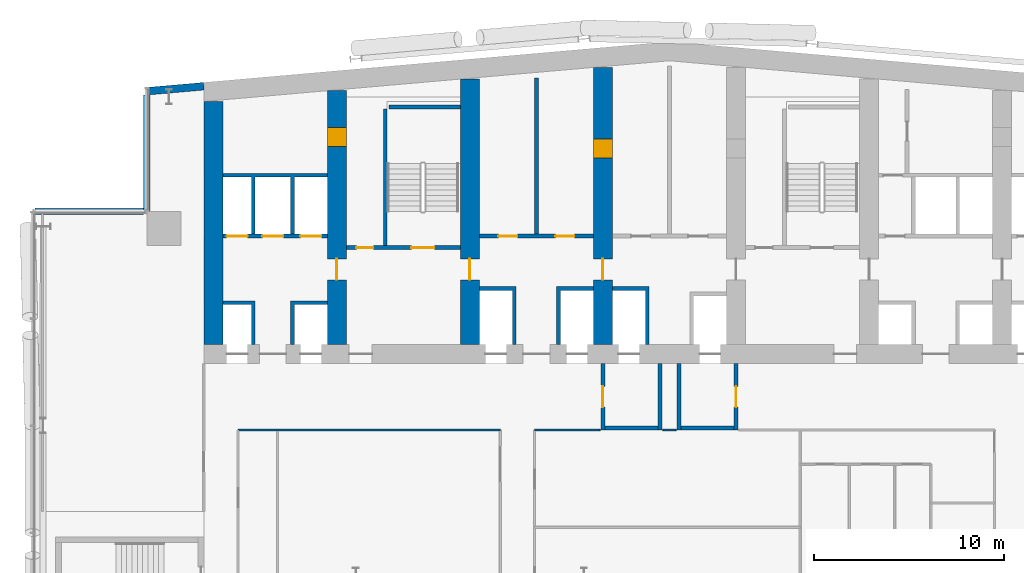
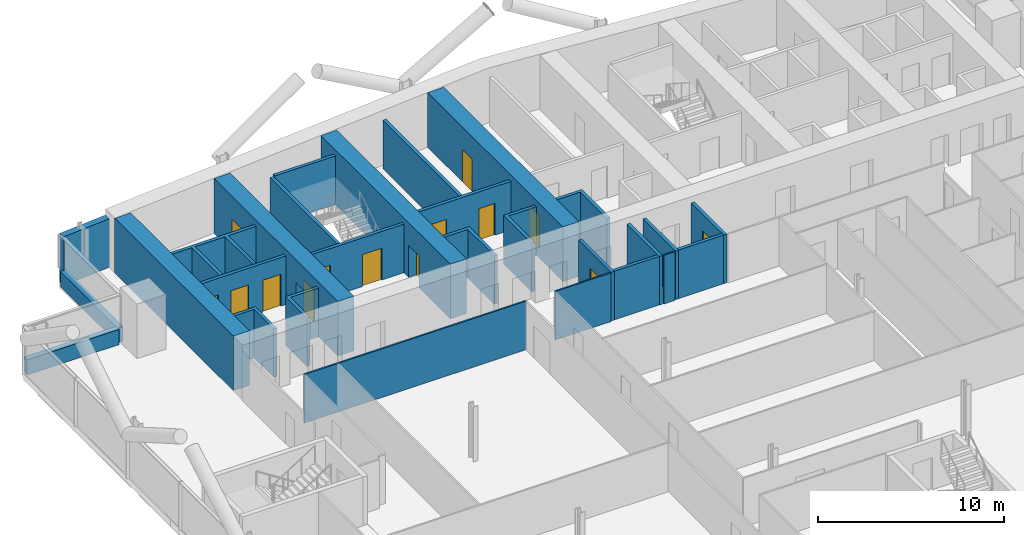
# One storey, part 16 of 26: 28 walls, 14 doors, 14 openings.
"""IFC4 building model written with IfcOpenShell, lengths in metres."""

from ifc_helpers import new_model, si_unit, direction, frame, frame_2d, origin, place, context, subcontext, project, spatial, polyline, rectangle, outline, extrude, material, layer, layer_set, type_object, element, fill, save


model = new_model("IFC4")

# Units and contexts
model_context = context("Model", 3, precision=1e-05, world=origin(), true_north=direction((0.0, 1.0)))
body_context = subcontext(model_context, "Body", "Model", "MODEL_VIEW")
ifc_project = project(units=[si_unit("LENGTHUNIT", "METRE"), si_unit("AREAUNIT", "SQUARE_METRE"), si_unit("VOLUMEUNIT", "CUBIC_METRE"), si_unit("PLANEANGLEUNIT", "RADIAN"), si_unit("MASSUNIT", "GRAM", prefix="KILO")], contexts=[model_context])

# Site, building, storey
site_placement = place(None, origin())
site = spatial("IfcSite", under=ifc_project, at=site_placement, CompositionType="ELEMENT")
building_placement = place(site_placement, origin())
building = spatial("IfcBuilding", under=site, at=building_placement, Name="Wharfspan Tower", CompositionType="ELEMENT")
storey_placement = place(building_placement, frame((0.0, 0.0, 114.699951)))
storey = spatial("IfcBuildingStorey", under=building, at=storey_placement, Name="L26", CompositionType="ELEMENT", Elevation=114.699951)

# Walls
ifc_material_1 = material(Name="Gypsum board on steel studs", Category="steel")
ifc_layer_1 = layer(ifc_material_1, 0.100098)
ifc_layer_set_1 = layer_set([ifc_layer_1], Name="Gypsum board on steel studs")
wall_type_1 = type_object("IfcWallType", Name="Compartment wall 100 EI 60", PredefinedType="PARTITIONING", material=ifc_layer_set_1)
wall_1_placement = place(storey_placement, frame((17.800049, 30.5, 0.0), z_axis=(0.0, 0.0, 1.0), x_axis=(1.0, 0.0, 0.0)))
element("IfcWall", 1, at=wall_1_placement, inside=storey, type_object=wall_type_1, Name="Partition L26.w009", PredefinedType="PARTITIONING", context=body_context, shape_type="SweptSolid", body=[
    extrude(rectangle(XDim=13.800049, YDim=0.100098, at=frame_2d((6.899902, 0.0))), origin(), (0.0, 0.0, 1.0), 3.199951),
])
wall_2_placement = place(storey_placement, frame((33.399902, 30.5, 0.0), z_axis=(0.0, 0.0, 1.0), x_axis=(1.0, 0.0, 0.0)))
element("IfcWall", 2, at=wall_2_placement, inside=storey, type_object=wall_type_1, Name="Partition L26.w020", PredefinedType="PARTITIONING", context=body_context, shape_type="SweptSolid", body=[
    extrude(rectangle(XDim=3.450195, YDim=0.100098, at=frame_2d((1.725098, 0.0))), origin(), (0.0, 0.0, 1.0), 3.199951),
])
wall_3_placement = place(storey_placement, frame((40.149902, 30.5, 0.0), z_axis=(0.0, 0.0, 1.0), x_axis=(1.0, 0.0, 0.0)))
element("IfcWall", 3, at=wall_3_placement, inside=storey, type_object=wall_type_1, Name="Partition L26.w020 (2)", PredefinedType="PARTITIONING", context=body_context, shape_type="SweptSolid", body=[
    extrude(rectangle(XDim=0.700195, YDim=0.100098, at=frame_2d((0.350098, 0.0))), origin(), (0.0, 0.0, 1.0), 3.199951),
])
ifc_material_2 = material(Name="Calcium silicate masonry", Category="masonry")
ifc_layer_2 = layer(ifc_material_2, 0.199951)
ifc_layer_set_2 = layer_set([ifc_layer_2], Name="Calcium silicate masonry")
wall_type_2 = type_object("IfcWallType", Name="Core room wall 200", PredefinedType="PARTITIONING", material=ifc_layer_set_2)
wall_4_placement = place(storey_placement, frame((33.5, 40.800049, 0.0), z_axis=(0.0, 0.0, 1.0), x_axis=(0.0, 1.0, 0.0)))
element("IfcWall", 4, at=wall_4_placement, inside=storey, type_object=wall_type_2, Name="sw:L26:RP3.1", PredefinedType="PARTITIONING", context=body_context, shape_type="SweptSolid", body=[
    extrude(rectangle(XDim=8.232178, YDim=0.199951, at=frame_2d((4.116211, 0.0))), origin(), (0.0, 0.0, 1.0), 3.199951),
])
ifc_material_3 = material(Name="Concrete C70/85", Category="concrete")
ifc_layer_3 = layer(ifc_material_3, 1.0)
ifc_layer_set_3 = layer_set([ifc_layer_3], Name="Concrete C70/85")
wall_type_3 = type_object("IfcWallType", Name="Core wall 1000 C70/85", PredefinedType="SHEAR", material=ifc_layer_set_3)
wall_5_placement = place(storey_placement, frame((16.5, 35.0, 0.0), z_axis=(0.0, 0.0, 1.0), x_axis=(0.0, 1.0, 0.0)))
element("IfcWall", 5, at=wall_5_placement, inside=storey, type_object=wall_type_3, Name="Core cross wall EW0 L26", PredefinedType="SHEAR", context=body_context, shape_type="SweptSolid", body=[
    extrude(rectangle(XDim=12.783691, YDim=1.0, at=frame_2d((6.391846, 0.0))), origin(), (0.0, 0.0, 1.0), 3.600098),
])

# Wall, openings, doors
wall_6_placement = place(storey_placement, frame((23.0, 35.0, 0.0), z_axis=(0.0, 0.0, 1.0), x_axis=(0.0, 1.0, 0.0)))
wall_6 = element("IfcWall", 6, at=wall_6_placement, inside=storey, type_object=wall_type_3, Name="Core cross wall X2 L26", PredefinedType="SHEAR", context=body_context, shape_type="SweptSolid", body=[
    extrude(rectangle(XDim=13.352295, YDim=1.0, at=frame_2d((6.67627, 0.0))), origin(), (0.0, 0.0, 1.0), 3.600098),
])
opening_1_placement = place(wall_6_placement, frame((10.425537, 0.0, 0.0)))
opening_1 = element("IfcOpeningElement", 7, at=opening_1_placement, cuts=wall_6, Name="Opening CD26.1X", PredefinedType="OPENING", context=body_context, shape_type="SweptSolid", body=[
    extrude(rectangle(XDim=1.0, YDim=2.100098, at=frame_2d((0.5, 1.050049))), frame((0.0, 0.51001, 0.0), z_axis=(0.0, -1.0, 0.0), x_axis=(1.0, 0.0, 0.0)), (0.0, 0.0, 1.0), 1.02002),
])
opening_2_placement = place(wall_6_placement, frame((3.399902, 0.0, 0.0)))
opening_2 = element("IfcOpeningElement", 8, at=opening_2_placement, cuts=wall_6, Name="Opening CC26.2", PredefinedType="OPENING", context=body_context, shape_type="SweptSolid", body=[
    extrude(rectangle(XDim=1.100098, YDim=2.100098, at=frame_2d((0.550049, 1.050049))), frame((0.0, 0.51001, 0.0), z_axis=(0.0, -1.0, 0.0), x_axis=(1.0, 0.0, 0.0)), (0.0, 0.0, 1.0), 1.02002),
])
ifc_material_4 = material(Name="Steel door leaf", Category="steel")
door_type_1 = type_object("IfcDoorType", Name="Core corridor door 1100x2100", OperationType="SINGLE_SWING_LEFT", PredefinedType="DOOR", material=ifc_material_4)
door_1_placement = place(opening_2_placement, origin())
door_1 = element("IfcDoor", 9, at=door_1_placement, inside=storey, type_object=door_type_1, Name="xd:L26:2", OperationType="SINGLE_SWING_RIGHT", OverallHeight=2.100098, OverallWidth=1.100098, PredefinedType="DOOR", context=body_context, shape_type="SweptSolid", body=[
    extrude(rectangle(XDim=1.100098, YDim=2.100098, at=frame_2d((0.550049, 1.050049))), frame((0.0, 0.024902, 0.0), z_axis=(0.0, -1.0, 0.0), x_axis=(1.0, 0.0, 0.0)), (0.0, 0.0, 1.0), 0.050049),
])
fill(opening_2, door_1)
door_type_2 = type_object("IfcDoorType", Name="Core room door 1000x2100", OperationType="SINGLE_SWING_LEFT", PredefinedType="DOOR", material=ifc_material_4)
door_2_placement = place(opening_1_placement, origin())
door_2 = element("IfcDoor", 10, at=door_2_placement, inside=storey, type_object=door_type_2, Name="d:L26:1:sx", OperationType="SINGLE_SWING_LEFT", OverallHeight=2.100098, OverallWidth=1.0, PredefinedType="DOOR", context=body_context, shape_type="SweptSolid", body=[
    extrude(rectangle(XDim=1.0, YDim=2.100098, at=frame_2d((0.5, 1.050049))), frame((0.0, 0.499756, 0.0), z_axis=(0.0, -1.0, 0.0), x_axis=(1.0, 0.0, 0.0)), (0.0, 0.0, 1.0), 0.999512),
])
fill(opening_1, door_2)

# Wall, opening, door
wall_7_placement = place(storey_placement, frame((30.0, 35.0, 0.0), z_axis=(0.0, 0.0, 1.0), x_axis=(0.0, 1.0, 0.0)))
wall_7 = element("IfcWall", 11, at=wall_7_placement, inside=storey, type_object=wall_type_3, Name="Core cross wall X3 L26", PredefinedType="SHEAR", context=body_context, shape_type="SweptSolid", body=[
    extrude(rectangle(XDim=13.9646, YDim=1.0, at=frame_2d((6.982422, 0.0))), origin(), (0.0, 0.0, 1.0), 3.600098),
])
opening_3_placement = place(wall_7_placement, frame((3.399902, 0.0, 0.0)))
opening_3 = element("IfcOpeningElement", 12, at=opening_3_placement, cuts=wall_7, Name="Opening CC26.3", PredefinedType="OPENING", context=body_context, shape_type="SweptSolid", body=[
    extrude(rectangle(XDim=1.100098, YDim=2.100098, at=frame_2d((0.550049, 1.050049))), frame((0.0, 0.51001, 0.0), z_axis=(0.0, -1.0, 0.0), x_axis=(1.0, 0.0, 0.0)), (0.0, 0.0, 1.0), 1.02002),
])
door_3_placement = place(opening_3_placement, origin())
door_3 = element("IfcDoor", 13, at=door_3_placement, inside=storey, type_object=door_type_1, Name="xd:L26:3", OperationType="SINGLE_SWING_LEFT", OverallHeight=2.100098, OverallWidth=1.100098, PredefinedType="DOOR", context=body_context, shape_type="SweptSolid", body=[
    extrude(rectangle(XDim=1.100098, YDim=2.100098, at=frame_2d((0.550049, 1.050049))), frame((0.0, 0.024902, 0.0), z_axis=(0.0, -1.0, 0.0), x_axis=(1.0, 0.0, 0.0)), (0.0, 0.0, 1.0), 0.050049),
])
fill(opening_3, door_3)

# Wall, openings, doors
wall_8_placement = place(storey_placement, frame((37.0, 35.0, 0.0), z_axis=(0.0, 0.0, 1.0), x_axis=(0.0, 1.0, 0.0)))
wall_8 = element("IfcWall", 14, at=wall_8_placement, inside=storey, type_object=wall_type_3, Name="Core cross wall X4 L26", PredefinedType="SHEAR", context=body_context, shape_type="SweptSolid", body=[
    extrude(rectangle(XDim=14.577148, YDim=1.0, at=frame_2d((7.288574, 0.0))), origin(), (0.0, 0.0, 1.0), 3.600098),
])
opening_4_placement = place(wall_8_placement, frame((3.399902, 0.0, 0.0)))
opening_4 = element("IfcOpeningElement", 15, at=opening_4_placement, cuts=wall_8, Name="Opening CC26.4", PredefinedType="OPENING", context=body_context, shape_type="SweptSolid", body=[
    extrude(rectangle(XDim=1.100098, YDim=2.100098, at=frame_2d((0.550049, 1.050049))), frame((0.0, 0.51001, 0.0), z_axis=(0.0, -1.0, 0.0), x_axis=(1.0, 0.0, 0.0)), (0.0, 0.0, 1.0), 1.02002),
])
opening_5_placement = place(wall_8_placement, frame((9.800049, 0.0, 0.0)))
opening_5 = element("IfcOpeningElement", 16, at=opening_5_placement, cuts=wall_8, Name="Opening CR26.4", PredefinedType="OPENING", context=body_context, shape_type="SweptSolid", body=[
    extrude(rectangle(XDim=1.0, YDim=2.100098, at=frame_2d((0.5, 1.050049))), frame((0.0, 0.51001, 0.0), z_axis=(0.0, -1.0, 0.0), x_axis=(1.0, 0.0, 0.0)), (0.0, 0.0, 1.0), 1.02002),
])
door_4_placement = place(opening_4_placement, origin())
door_4 = element("IfcDoor", 17, at=door_4_placement, inside=storey, type_object=door_type_1, Name="xd:L26:4", OperationType="SINGLE_SWING_RIGHT", OverallHeight=2.100098, OverallWidth=1.100098, PredefinedType="DOOR", context=body_context, shape_type="SweptSolid", body=[
    extrude(rectangle(XDim=1.100098, YDim=2.100098, at=frame_2d((0.550049, 1.050049))), frame((0.0, 0.024902, 0.0), z_axis=(0.0, -1.0, 0.0), x_axis=(1.0, 0.0, 0.0)), (0.0, 0.0, 1.0), 0.050049),
])
fill(opening_4, door_4)
door_5_placement = place(opening_5_placement, origin())
door_5 = element("IfcDoor", 18, at=door_5_placement, inside=storey, type_object=door_type_2, Name="xr:L26:4", OperationType="SINGLE_SWING_RIGHT", OverallHeight=2.100098, OverallWidth=1.0, PredefinedType="DOOR", context=body_context, shape_type="SweptSolid", body=[
    extrude(rectangle(XDim=1.0, YDim=2.100098, at=frame_2d((0.5, 1.050049))), frame((0.0, 0.499756, 0.0), z_axis=(0.0, -1.0, 0.0), x_axis=(1.0, 0.0, 0.0)), (0.0, 0.0, 1.0), 0.999512),
])
fill(opening_5, door_5)

ifc_material_5 = material(Name="Concrete C30/37", Category="concrete")
ifc_layer_4 = layer(ifc_material_5, 0.199951)
ifc_layer_set_4 = layer_set([ifc_layer_4], Name="Concrete C30/37")
wall_type_4 = type_object("IfcWallType", Name="Lift shaft wall 200", PredefinedType="PARTITIONING", material=ifc_layer_set_4)
wall_9_placement = place(storey_placement, frame((17.0, 40.699951, 0.0), z_axis=(0.0, 0.0, 1.0), x_axis=(1.0, 0.0, 0.0)))
wall_9 = element("IfcWall", 19, at=wall_9_placement, inside=storey, type_object=wall_type_4, Name="sw:L26:RF1", PredefinedType="PARTITIONING", context=body_context, shape_type="SweptSolid", body=[
    extrude(rectangle(XDim=5.5, YDim=0.199951, at=frame_2d((2.75, 0.0))), origin(), (0.0, 0.0, 1.0), 3.199951),
])
opening_6_placement = place(wall_9_placement, frame((0.199951, 0.0, 0.0)))
opening_6 = element("IfcOpeningElement", 20, at=opening_6_placement, cuts=wall_9, Name="Opening LD.LA3.L26", PredefinedType="OPENING", context=body_context, shape_type="SweptSolid", body=[
    extrude(rectangle(XDim=1.100098, YDim=2.100098, at=frame_2d((0.550049, 1.050049))), frame((0.0, 0.109863, 0.0), z_axis=(0.0, -1.0, 0.0), x_axis=(1.0, 0.0, 0.0)), (0.0, 0.0, 1.0), 0.219971),
])
opening_7_placement = place(wall_9_placement, frame((2.083252, 0.0, 0.0)))
opening_7 = element("IfcOpeningElement", 21, at=opening_7_placement, cuts=wall_9, Name="Opening LD.LA4.L26", PredefinedType="OPENING", context=body_context, shape_type="SweptSolid", body=[
    extrude(rectangle(XDim=1.100098, YDim=2.100098, at=frame_2d((0.550049, 1.050049))), frame((0.0, 0.109863, 0.0), z_axis=(0.0, -1.0, 0.0), x_axis=(1.0, 0.0, 0.0)), (0.0, 0.0, 1.0), 0.219971),
])
opening_8_placement = place(wall_9_placement, frame((4.083252, 0.0, 0.0)))
opening_8 = element("IfcOpeningElement", 22, at=opening_8_placement, cuts=wall_9, Name="Opening LD.LA5.L26", PredefinedType="OPENING", context=body_context, shape_type="SweptSolid", body=[
    extrude(rectangle(XDim=1.100098, YDim=2.100098, at=frame_2d((0.550049, 1.050049))), frame((0.0, 0.109863, 0.0), z_axis=(0.0, -1.0, 0.0), x_axis=(1.0, 0.0, 0.0)), (0.0, 0.0, 1.0), 0.219971),
])
ifc_material_6 = material(Name="Stainless steel", Category="steel")
door_type_3 = type_object("IfcDoorType", Name="Lift landing door 1100x2100", OperationType="DOUBLE_DOOR_SLIDING", PredefinedType="DOOR", material=ifc_material_6)
door_6_placement = place(opening_6_placement, origin())
door_6 = element("IfcDoor", 23, at=door_6_placement, inside=storey, type_object=door_type_3, Name="Landing door LA3 L26", OperationType="DOUBLE_DOOR_SLIDING", OverallHeight=2.100098, OverallWidth=1.100098, PredefinedType="DOOR", context=body_context, shape_type="SweptSolid", body=[
    extrude(rectangle(XDim=1.100098, YDim=2.100098, at=frame_2d((0.550049, 1.050049))), frame((0.0, 0.024902, 0.0), z_axis=(0.0, -1.0, 0.0), x_axis=(1.0, 0.0, 0.0)), (0.0, 0.0, 1.0), 0.050049),
])
fill(opening_6, door_6)
door_7_placement = place(opening_7_placement, origin())
door_7 = element("IfcDoor", 24, at=door_7_placement, inside=storey, type_object=door_type_3, Name="Landing door LA4 L26", OperationType="DOUBLE_DOOR_SLIDING", OverallHeight=2.100098, OverallWidth=1.100098, PredefinedType="DOOR", context=body_context, shape_type="SweptSolid", body=[
    extrude(rectangle(XDim=1.100098, YDim=2.100098, at=frame_2d((0.550049, 1.050049))), frame((0.0, 0.024902, 0.0), z_axis=(0.0, -1.0, 0.0), x_axis=(1.0, 0.0, 0.0)), (0.0, 0.0, 1.0), 0.050049),
])
fill(opening_7, door_7)
door_8_placement = place(opening_8_placement, origin())
door_8 = element("IfcDoor", 25, at=door_8_placement, inside=storey, type_object=door_type_3, Name="Landing door LA5 L26", OperationType="DOUBLE_DOOR_SLIDING", OverallHeight=2.100098, OverallWidth=1.100098, PredefinedType="DOOR", context=body_context, shape_type="SweptSolid", body=[
    extrude(rectangle(XDim=1.100098, YDim=2.100098, at=frame_2d((0.550049, 1.050049))), frame((0.0, 0.024902, 0.0), z_axis=(0.0, -1.0, 0.0), x_axis=(1.0, 0.0, 0.0)), (0.0, 0.0, 1.0), 0.050049),
])
fill(opening_8, door_8)

# Walls
wall_10_placement = place(storey_placement, frame((0.0, 0.0, -0.000244)))
element("IfcWall", 26, at=wall_10_placement, inside=storey, type_object=wall_type_4, Name="sw:L26:FM1.0", PredefinedType="PARTITIONING", context=body_context, shape_type="SweptSolid", body=[
    extrude(outline(polyline([(18.5, 37.100098), (17.0, 37.100098), (17.0, 37.300049), (18.5, 37.300049), (18.699951, 37.300049), (18.699951, 35.0), (18.5, 35.0), (18.5, 37.100098)])), origin(), (0.0, 0.0, 1.0), 3.200195),
])
wall_11_placement = place(storey_placement, frame((0.0, 0.0, -0.000244)))
element("IfcWall", 27, at=wall_11_placement, inside=storey, type_object=wall_type_4, Name="sw:L26:FM1.1", PredefinedType="PARTITIONING", context=body_context, shape_type="SweptSolid", body=[
    extrude(outline(polyline([(20.56665, 37.300049), (20.766602, 37.300049), (22.5, 37.300049), (22.5, 37.100098), (20.766602, 37.100098), (20.766602, 35.0), (20.56665, 35.0), (20.56665, 37.300049)])), origin(), (0.0, 0.0, 1.0), 3.200195),
])
wall_12_placement = place(storey_placement, frame((0.0, 0.0, -0.000244)))
element("IfcWall", 28, at=wall_12_placement, inside=storey, type_object=wall_type_4, Name="sw:L26:RM1.0", PredefinedType="PARTITIONING", context=body_context, shape_type="SweptSolid", body=[
    extrude(outline(polyline([(18.699951, 40.800049), (18.5, 40.800049), (18.5, 43.800049), (17.0, 43.800049), (17.0, 44.0), (22.5, 44.0), (22.5, 43.800049), (20.766602, 43.800049), (20.766602, 40.800049), (20.56665, 40.800049), (20.56665, 43.800049), (18.699951, 43.800049), (18.699951, 40.800049)])), origin(), (0.0, 0.0, 1.0), 3.200195),
])

# Wall, openings, doors
wall_13_placement = place(storey_placement, frame((30.5, 40.699951, 0.0), z_axis=(0.0, 0.0, 1.0), x_axis=(1.0, 0.0, 0.0)))
wall_13 = element("IfcWall", 29, at=wall_13_placement, inside=storey, type_object=wall_type_4, Name="sw:L26:RF3", PredefinedType="PARTITIONING", context=body_context, shape_type="SweptSolid", body=[
    extrude(rectangle(XDim=6.0, YDim=0.199951, at=frame_2d((3.0, 0.0))), origin(), (0.0, 0.0, 1.0), 3.199951),
])
opening_9_placement = place(wall_13_placement, frame((1.0, 0.0, 0.0)))
opening_9 = element("IfcOpeningElement", 30, at=opening_9_placement, cuts=wall_13, Name="Opening CD26.3S", PredefinedType="OPENING", context=body_context, shape_type="SweptSolid", body=[
    extrude(rectangle(XDim=1.0, YDim=2.100098, at=frame_2d((0.5, 1.050049))), frame((0.0, 0.109863, 0.0), z_axis=(0.0, -1.0, 0.0), x_axis=(1.0, 0.0, 0.0)), (0.0, 0.0, 1.0), 0.219971),
])
opening_10_placement = place(wall_13_placement, frame((4.0, 0.0, 0.0)))
opening_10 = element("IfcOpeningElement", 31, at=opening_10_placement, cuts=wall_13, Name="Opening CD26.3Sa", PredefinedType="OPENING", context=body_context, shape_type="SweptSolid", body=[
    extrude(rectangle(XDim=1.0, YDim=2.100098, at=frame_2d((0.5, 1.050049))), frame((0.0, 0.109863, 0.0), z_axis=(0.0, -1.0, 0.0), x_axis=(1.0, 0.0, 0.0)), (0.0, 0.0, 1.0), 0.219971),
])
door_9_placement = place(opening_9_placement, origin())
door_9 = element("IfcDoor", 32, at=door_9_placement, inside=storey, type_object=door_type_2, Name="d:L26:3:sf", OperationType="SINGLE_SWING_LEFT", OverallHeight=2.100098, OverallWidth=1.0, PredefinedType="DOOR", context=body_context, shape_type="SweptSolid", body=[
    extrude(rectangle(XDim=1.0, YDim=2.100098, at=frame_2d((0.5, 1.050049))), frame((0.0, 0.024902, 0.0), z_axis=(0.0, -1.0, 0.0), x_axis=(1.0, 0.0, 0.0)), (0.0, 0.0, 1.0), 0.050049),
])
fill(opening_9, door_9)
door_10_placement = place(opening_10_placement, origin())
door_10 = element("IfcDoor", 33, at=door_10_placement, inside=storey, type_object=door_type_2, Name="d:L26:3:sf1", OperationType="SINGLE_SWING_LEFT", OverallHeight=2.100098, OverallWidth=1.0, PredefinedType="DOOR", context=body_context, shape_type="SweptSolid", body=[
    extrude(rectangle(XDim=1.0, YDim=2.100098, at=frame_2d((0.5, 1.050049))), frame((0.0, 0.024902, 0.0), z_axis=(0.0, -1.0, 0.0), x_axis=(1.0, 0.0, 0.0)), (0.0, 0.0, 1.0), 0.050049),
])
fill(opening_10, door_10)

# Walls
wall_14_placement = place(storey_placement, frame((0.0, 0.0, -0.000244)))
element("IfcWall", 34, at=wall_14_placement, inside=storey, type_object=wall_type_4, Name="sw:L26:FM3.0", PredefinedType="PARTITIONING", context=body_context, shape_type="SweptSolid", body=[
    extrude(outline(polyline([(32.233398, 37.850098), (30.5, 37.850098), (30.5, 38.050049), (32.233398, 38.050049), (32.43335, 38.050049), (32.43335, 35.0), (32.233398, 35.0), (32.233398, 37.850098)])), origin(), (0.0, 0.0, 1.0), 3.200195),
])
wall_15_placement = place(storey_placement, frame((0.0, 0.0, -0.000244)))
element("IfcWall", 35, at=wall_15_placement, inside=storey, type_object=wall_type_4, Name="sw:L26:FM3.1", PredefinedType="PARTITIONING", context=body_context, shape_type="SweptSolid", body=[
    extrude(outline(polyline([(34.56665, 38.050049), (34.766602, 38.050049), (36.5, 38.050049), (36.5, 37.850098), (34.766602, 37.850098), (34.766602, 35.0), (34.56665, 35.0), (34.56665, 38.050049)])), origin(), (0.0, 0.0, 1.0), 3.200195),
])
wall_16_placement = place(storey_placement, frame((0.0, 0.0, -0.000244)))
element("IfcWall", 36, at=wall_16_placement, inside=storey, type_object=wall_type_4, Name="sw:L26:FM4.1", PredefinedType="PARTITIONING", context=body_context, shape_type="SweptSolid", body=[
    extrude(outline(polyline([(39.233398, 37.850098), (37.5, 37.850098), (37.5, 38.050049), (39.233398, 38.050049), (39.43335, 38.050049), (39.43335, 35.0), (39.233398, 35.0), (39.233398, 37.850098)])), origin(), (0.0, 0.0, 1.0), 3.200195),
])

# Wall, opening, door
ifc_layer_5 = layer(ifc_material_5, 0.199951)
ifc_layer_set_5 = layer_set([ifc_layer_5], Name="Concrete C30/37")
wall_type_5 = type_object("IfcWallType", Name="Lobby wall 200", PredefinedType="PARTITIONING", material=ifc_layer_set_5)
wall_17_placement = place(storey_placement, frame((37.0, 30.5, 0.0), z_axis=(0.0, 0.0, 1.0), x_axis=(0.0, 1.0, 0.0)))
wall_17 = element("IfcWall", 37, at=wall_17_placement, inside=storey, type_object=wall_type_5, Name="sw:L26:FLFF1W", PredefinedType="PARTITIONING", context=body_context, shape_type="SweptSolid", body=[
    extrude(rectangle(XDim=3.5, YDim=0.199951, at=frame_2d((1.75, 0.0))), origin(), (0.0, 0.0, 1.0), 3.199951),
])
opening_11_placement = place(wall_17_placement, frame((1.199951, 0.0, 0.0)))
opening_11 = element("IfcOpeningElement", 38, at=opening_11_placement, cuts=wall_17, Name="Opening FL.FF1.L26", PredefinedType="OPENING", context=body_context, shape_type="SweptSolid", body=[
    extrude(rectangle(XDim=1.100098, YDim=2.100098, at=frame_2d((0.550049, 1.050049))), frame((0.0, 0.109863, 0.0), z_axis=(0.0, -1.0, 0.0), x_axis=(1.0, 0.0, 0.0)), (0.0, 0.0, 1.0), 0.219971),
])
door_type_4 = type_object("IfcDoorType", Name="Firefighting lobby door 1100x2100", OperationType="SINGLE_SWING_LEFT", PredefinedType="DOOR", material=ifc_material_4)
door_11_placement = place(opening_11_placement, origin())
door_11 = element("IfcDoor", 39, at=door_11_placement, inside=storey, type_object=door_type_4, Name="fd:L26:FF1", OperationType="SINGLE_SWING_LEFT", OverallHeight=2.100098, OverallWidth=1.100098, PredefinedType="DOOR", context=body_context, shape_type="SweptSolid", body=[
    extrude(rectangle(XDim=1.100098, YDim=2.100098, at=frame_2d((0.550049, 1.050049))), frame((0.0, 0.024902, 0.0), z_axis=(0.0, -1.0, 0.0), x_axis=(1.0, 0.0, 0.0)), (0.0, 0.0, 1.0), 0.050049),
])
fill(opening_11, door_11)

# Walls
wall_18_placement = place(storey_placement, frame((40.0, 30.5, 0.0), z_axis=(0.0, 0.0, 1.0), x_axis=(0.0, 1.0, 0.0)))
element("IfcWall", 40, at=wall_18_placement, inside=storey, type_object=wall_type_5, Name="sw:L26:FLFF1E", PredefinedType="PARTITIONING", context=body_context, shape_type="SweptSolid", body=[
    extrude(rectangle(XDim=3.5, YDim=0.199951, at=frame_2d((1.75, 0.0))), origin(), (0.0, 0.0, 1.0), 3.199951),
])
wall_19_placement = place(storey_placement, frame((37.100098, 30.600098, 0.0), z_axis=(0.0, 0.0, 1.0), x_axis=(1.0, 0.0, 0.0)))
element("IfcWall", 41, at=wall_19_placement, inside=storey, type_object=wall_type_5, Name="sw:L26:FLFF1F", PredefinedType="PARTITIONING", context=body_context, shape_type="SweptSolid", body=[
    extrude(rectangle(XDim=2.799805, YDim=0.199951, at=frame_2d((1.399902, 0.0))), origin(), (0.0, 0.0, 1.0), 3.199951),
])
wall_20_placement = place(storey_placement, frame((41.0, 30.5, 0.0), z_axis=(0.0, 0.0, 1.0), x_axis=(0.0, 1.0, 0.0)))
element("IfcWall", 42, at=wall_20_placement, inside=storey, type_object=wall_type_5, Name="sw:L26:FLFF2W", PredefinedType="PARTITIONING", context=body_context, shape_type="SweptSolid", body=[
    extrude(rectangle(XDim=3.5, YDim=0.199951, at=frame_2d((1.75, 0.0))), origin(), (0.0, 0.0, 1.0), 3.199951),
])

# Wall, opening, door
wall_21_placement = place(storey_placement, frame((44.0, 30.5, 0.0), z_axis=(0.0, 0.0, 1.0), x_axis=(0.0, 1.0, 0.0)))
wall_21 = element("IfcWall", 43, at=wall_21_placement, inside=storey, type_object=wall_type_5, Name="sw:L26:FLFF2E", PredefinedType="PARTITIONING", context=body_context, shape_type="SweptSolid", body=[
    extrude(rectangle(XDim=3.5, YDim=0.199951, at=frame_2d((1.75, 0.0))), origin(), (0.0, 0.0, 1.0), 3.199951),
])
opening_12_placement = place(wall_21_placement, frame((1.199951, 0.0, 0.0)))
opening_12 = element("IfcOpeningElement", 44, at=opening_12_placement, cuts=wall_21, Name="Opening FL.FF2.L26", PredefinedType="OPENING", context=body_context, shape_type="SweptSolid", body=[
    extrude(rectangle(XDim=1.100098, YDim=2.100098, at=frame_2d((0.550049, 1.050049))), frame((0.0, 0.109863, 0.0), z_axis=(0.0, -1.0, 0.0), x_axis=(1.0, 0.0, 0.0)), (0.0, 0.0, 1.0), 0.219971),
])
door_12_placement = place(opening_12_placement, origin())
door_12 = element("IfcDoor", 45, at=door_12_placement, inside=storey, type_object=door_type_4, Name="fd:L26:FF2", OperationType="SINGLE_SWING_LEFT", OverallHeight=2.100098, OverallWidth=1.100098, PredefinedType="DOOR", context=body_context, shape_type="SweptSolid", body=[
    extrude(rectangle(XDim=1.100098, YDim=2.100098, at=frame_2d((0.550049, 1.050049))), frame((0.0, 0.024902, 0.0), z_axis=(0.0, -1.0, 0.0), x_axis=(1.0, 0.0, 0.0)), (0.0, 0.0, 1.0), 0.050049),
])
fill(opening_12, door_12)

# Walls
wall_22_placement = place(storey_placement, frame((41.100098, 30.600098, 0.0), z_axis=(0.0, 0.0, 1.0), x_axis=(1.0, 0.0, 0.0)))
element("IfcWall", 46, at=wall_22_placement, inside=storey, type_object=wall_type_5, Name="sw:L26:FLFF2F", PredefinedType="PARTITIONING", context=body_context, shape_type="SweptSolid", body=[
    extrude(rectangle(XDim=2.799805, YDim=0.199951, at=frame_2d((1.399902, 0.0))), origin(), (0.0, 0.0, 1.0), 3.199951),
])
ifc_material_7 = material(Name="Concrete C40/50", Category="concrete")
ifc_layer_6 = layer(ifc_material_7, 0.350098)
ifc_layer_set_6 = layer_set([ifc_layer_6], Name="Concrete C40/50")
wall_type_6 = type_object("IfcWallType", Name="SPANDREL EXPOSED CONCRETE 350", PredefinedType="SOLIDWALL", material=ifc_layer_set_6)
wall_23_placement = place(storey_placement, frame((12.995117, 48.126465, 0.0), z_axis=(0.0, 0.0, 1.0), x_axis=(0.0, -1.0, 0.0)))
element("IfcWall", 47, at=wall_23_placement, inside=storey, type_object=wall_type_6, Name="Spandrel upstand L26 NRW-V", PredefinedType="SOLIDWALL", context=body_context, shape_type="SweptSolid", body=[
    extrude(rectangle(XDim=6.126465, YDim=0.350098, at=frame_2d((3.063232, 0.0))), origin(), (0.0, 0.0, 1.0), 1.0),
])
wall_24_placement = place(storey_placement, frame((12.820068, 42.004883, 0.0), z_axis=(0.0, 0.0, 1.0), x_axis=(-1.0, 0.0, 0.0)))
element("IfcWall", 48, at=wall_24_placement, inside=storey, type_object=wall_type_6, Name="Spandrel upstand L26 NRW-H", PredefinedType="SOLIDWALL", context=body_context, shape_type="SweptSolid", body=[
    extrude(rectangle(XDim=5.699951, YDim=0.350098, at=frame_2d((2.850098, 0.0))), origin(), (0.0, 0.0, 1.0), 1.0),
])

# Wall, openings, doors
ifc_layer_7 = layer(ifc_material_7, 0.199951)
ifc_layer_set_7 = layer_set([ifc_layer_7], Name="Concrete C40/50")
wall_type_7 = type_object("IfcWallType", Name="Stair shaft wall 200", PredefinedType="SHEAR", material=ifc_layer_set_7)
wall_25_placement = place(storey_placement, frame((23.5, 40.100098, 0.0), z_axis=(0.0, 0.0, 1.0), x_axis=(1.0, 0.0, 0.0)))
wall_25 = element("IfcWall", 49, at=wall_25_placement, inside=storey, type_object=wall_type_7, Name="ST1 stair enclosure wall L26", PredefinedType="SHEAR", context=body_context, shape_type="SweptSolid", body=[
    extrude(rectangle(XDim=6.0, YDim=0.199951, at=frame_2d((3.0, 0.0))), origin(), (0.0, 0.0, 1.0), 3.199951),
])
opening_13_placement = place(wall_25_placement, frame((3.425049, 0.0, 0.0)))
opening_13 = element("IfcOpeningElement", 50, at=opening_13_placement, cuts=wall_25, Name="Opening SD2.L26", PredefinedType="OPENING", context=body_context, shape_type="SweptSolid", body=[
    extrude(rectangle(XDim=1.199951, YDim=2.100098, at=frame_2d((0.600098, 1.050049))), frame((0.0, 0.109863, 0.0), z_axis=(0.0, -1.0, 0.0), x_axis=(1.0, 0.0, 0.0)), (0.0, 0.0, 1.0), 0.219971),
])
opening_14_placement = place(wall_25_placement, frame((0.524902, 0.0, 0.0)))
opening_14 = element("IfcOpeningElement", 51, at=opening_14_placement, cuts=wall_25, Name="Opening CD26.2R", PredefinedType="OPENING", context=body_context, shape_type="SweptSolid", body=[
    extrude(rectangle(XDim=0.899902, YDim=2.100098, at=frame_2d((0.449951, 1.050049))), frame((0.0, 0.109863, 0.0), z_axis=(0.0, -1.0, 0.0), x_axis=(1.0, 0.0, 0.0)), (0.0, 0.0, 1.0), 0.219971),
])
door_13_placement = place(opening_14_placement, origin())
door_13 = element("IfcDoor", 52, at=door_13_placement, inside=storey, type_object=door_type_2, Name="rk:L26:2", OperationType="SINGLE_SWING_LEFT", OverallHeight=2.100098, OverallWidth=0.899902, PredefinedType="DOOR", context=body_context, shape_type="SweptSolid", body=[
    extrude(rectangle(XDim=0.899902, YDim=2.100098, at=frame_2d((0.449951, 1.050049))), frame((0.0, 0.024902, 0.0), z_axis=(0.0, -1.0, 0.0), x_axis=(1.0, 0.0, 0.0)), (0.0, 0.0, 1.0), 0.050049),
])
fill(opening_14, door_13)
door_type_5 = type_object("IfcDoorType", Name="Stair door 1200x2100", OperationType="SINGLE_SWING_LEFT", PredefinedType="DOOR", material=ifc_material_4)
door_14_placement = place(opening_13_placement, origin())
door_14 = element("IfcDoor", 53, at=door_14_placement, inside=storey, type_object=door_type_5, Name="sd:L26:2", OperationType="SINGLE_SWING_RIGHT", OverallHeight=2.100098, OverallWidth=1.199951, PredefinedType="DOOR", context=body_context, shape_type="SweptSolid", body=[
    extrude(rectangle(XDim=1.199951, YDim=2.100098, at=frame_2d((0.600098, 1.050049))), frame((0.0, 0.024902, 0.0), z_axis=(0.0, -1.0, 0.0), x_axis=(1.0, 0.0, 0.0)), (0.0, 0.0, 1.0), 0.050049),
])
fill(opening_13, door_14)

# Walls
wall_26_placement = place(storey_placement, frame((25.550049, 40.199951, 0.0), z_axis=(0.0, 0.0, 1.0), x_axis=(0.0, 1.0, 0.0)))
element("IfcWall", 54, at=wall_26_placement, inside=storey, type_object=wall_type_7, Name="ST1 stair enclosure wall L26", PredefinedType="SHEAR", context=body_context, shape_type="SweptSolid", body=[
    extrude(rectangle(XDim=7.199951, YDim=0.199951, at=frame_2d((3.600098, 0.0))), origin(), (0.0, 0.0, 1.0), 3.199951),
])
wall_27_placement = place(storey_placement, frame((25.75, 47.5, 0.0), z_axis=(0.0, 0.0, 1.0), x_axis=(1.0, 0.0, 0.0)))
element("IfcWall", 55, at=wall_27_placement, inside=storey, type_object=wall_type_7, Name="ST1 stair enclosure wall L26", PredefinedType="SHEAR", context=body_context, shape_type="SweptSolid", body=[
    extrude(rectangle(XDim=3.75, YDim=0.199951, at=frame_2d((1.875, 0.0))), origin(), (0.0, 0.0, 1.0), 3.199951),
])
ifc_layer_8 = layer(ifc_material_7, 0.399902)
ifc_layer_set_8 = layer_set([ifc_layer_8], Name="Concrete C40/50")
wall_type_8 = type_object("IfcWallType", Name="WALL EXPOSED CONCRETE 400", PredefinedType="SOLIDWALL", material=ifc_layer_set_8)
wall_28_placement = place(storey_placement, frame((16.0, 48.58667, 0.0), z_axis=(0.0, 0.0, 1.0), x_axis=(-0.996194, -0.087168, 0.0)))
element("IfcWall", 56, at=wall_28_placement, inside=storey, type_object=wall_type_8, Name="Rear wall N1", PredefinedType="SOLIDWALL", context=body_context, shape_type="SweptSolid", body=[
    extrude(rectangle(XDim=2.994141, YDim=0.399902, at=frame_2d((1.49707, 0.0))), origin(), (0.0, 0.0, 1.0), 3.199951),
])

save(model, "model.ifc")
